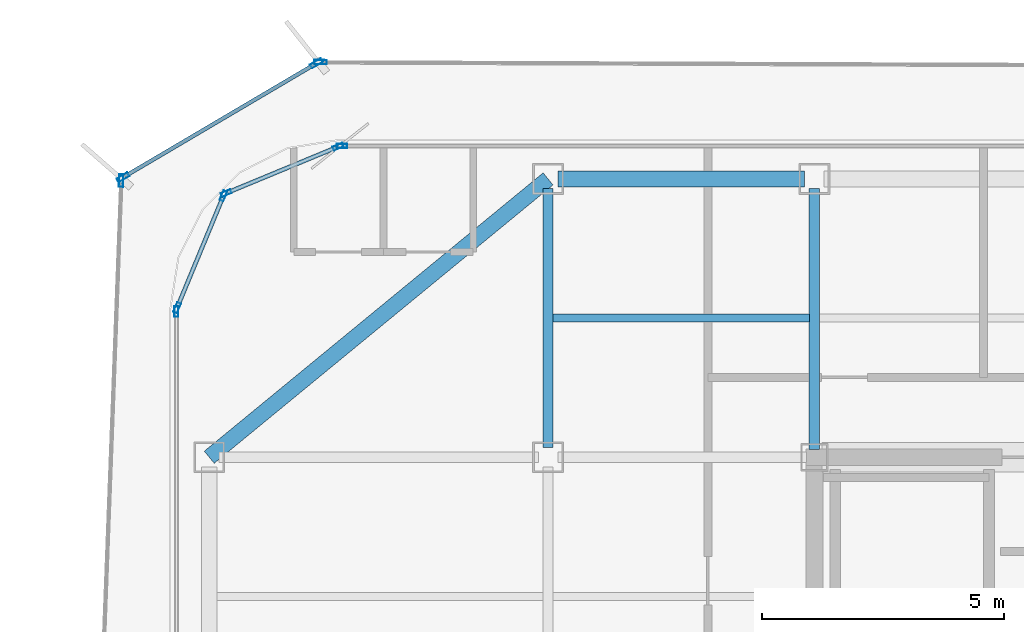
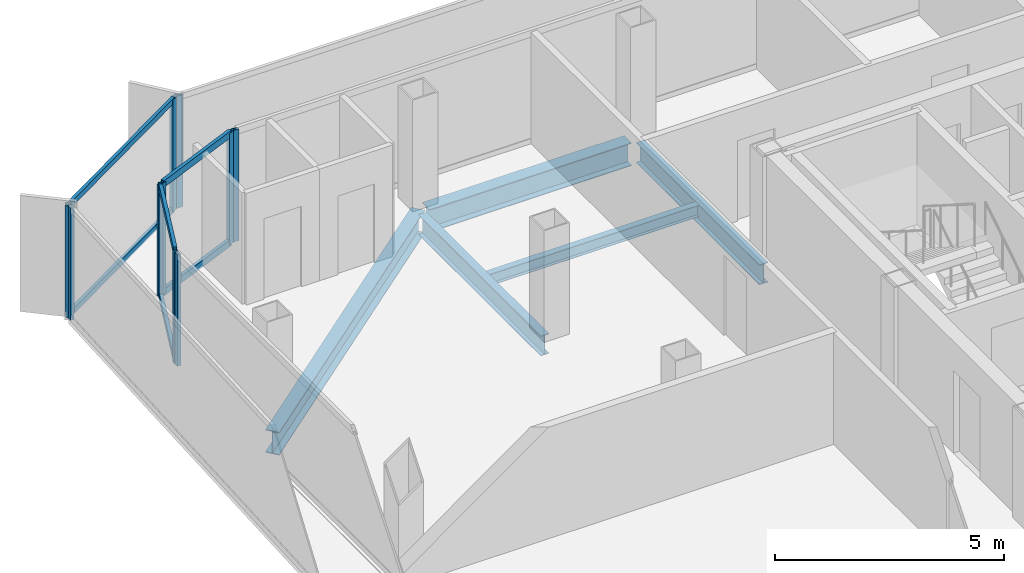
# One storey, part 6 of 15: 16 members, 5 beams, 7 elements without a shape of their own.
"""IFC4 building model written with IfcOpenShell, lengths in metres."""

import ifcopenshell
import ifcopenshell.guid

model = None  # the IFC model being written
_history = None  # IfcOwnerHistory: only IFC2X3 demands one
_inside = {}  # id of a spatial element -> (the spatial element, [elements in it])
_under = {}  # id of a project, library or spatial element -> (it, [spatial elements below it])
_declared = {}  # id of a project -> (the project, [libraries it declares])
_typed = {}  # id of a type object -> (the type object, [elements of that type])
_made_of = {}  # id of a material, layer set ... -> (it, [elements and type objects made of it])


def new_model(schema):
    """Start an empty IFC model of exactly this schema.

    Asked for "IFC4X3", IfcOpenShell would pick the latest addendum, in which some entities
    have other attributes; the version numbers below select the first issue.
    IFC2X3 requires an IfcOwnerHistory on every rooted entity: one is made here for all.
    """
    global model, _history
    if schema == "IFC4X3":
        model = ifcopenshell.file(schema_version=(4, 3, 0, 0))
    else:
        model = ifcopenshell.file(schema=schema)
    _inside.clear()
    _under.clear()
    _declared.clear()
    _typed.clear()
    _made_of.clear()
    _history = None
    if model.schema == "IFC2X3":
        org = make("IfcOrganization", Name="unknown")
        user = make(
            "IfcPersonAndOrganization",
            ThePerson=make("IfcPerson", FamilyName="unknown"),
            TheOrganization=org,
        )
        app = make(
            "IfcApplication",
            ApplicationDeveloper=org,
            Version="unknown",
            ApplicationFullName="unknown",
            ApplicationIdentifier="unknown",
        )
        _history = make(
            "IfcOwnerHistory",
            OwningUser=user,
            OwningApplication=app,
            ChangeAction="ADDED",
            CreationDate=0,
        )
    return model


def make(cls, **values):
    """One entity of the class cls with the attributes given. An attribute that is None is left unset."""
    return model.create_entity(
        cls, **{name: value for name, value in values.items() if value is not None}
    )


def rooted(cls, **values):
    """An entity with a GlobalId (a new one), such as an element, a storey or a relation."""
    return make(cls, GlobalId=ifcopenshell.guid.new(), OwnerHistory=_history, **values)


def si_unit(unit_type, name, prefix=None):
    """IfcSIUnit, for example si_unit("LENGTHUNIT", "METRE", prefix="MILLI")."""
    return make("IfcSIUnit", UnitType=unit_type, Prefix=prefix, Name=name)


def assignment(units):
    """IfcUnitAssignment: the units of a project."""
    return None if units is None else make("IfcUnitAssignment", Units=units)


def point(xyz):
    """IfcCartesianPoint."""
    return None if xyz is None else make("IfcCartesianPoint", Coordinates=xyz)


def direction(xyz):
    """IfcDirection."""
    return None if xyz is None else make("IfcDirection", DirectionRatios=xyz)


def frame(location, z_axis=None, x_axis=None):
    """IfcAxis2Placement3D, a coordinate frame: its origin and axes. An axis left out is left unset."""
    return make(
        "IfcAxis2Placement3D",
        Location=point(location),
        Axis=direction(z_axis),
        RefDirection=direction(x_axis),
    )


def frame_2d(location, x_axis=None):
    """IfcAxis2Placement2D, a coordinate frame in the plane: its origin and x axis."""
    return make(
        "IfcAxis2Placement2D", Location=point(location), RefDirection=direction(x_axis)
    )


def origin():
    """The frame at (0, 0, 0) with its axes left unset."""
    return frame((0.0, 0.0, 0.0))


def origin_2d():
    """The frame at (0, 0) in the plane with its x axis left unset."""
    return frame_2d((0.0, 0.0))


def place(relative_to, where):
    """IfcLocalPlacement: puts the frame where relative to a parent placement (None: the world)."""
    return make(
        "IfcLocalPlacement", PlacementRelTo=relative_to, RelativePlacement=where
    )


def context(
    kind, dimensions, precision=None, world=None, true_north=None, identifier=None
):
    """IfcGeometricRepresentationContext, for example the 3D "Model" context."""
    return make(
        "IfcGeometricRepresentationContext",
        ContextIdentifier=identifier,
        ContextType=kind,
        CoordinateSpaceDimension=dimensions,
        Precision=precision,
        WorldCoordinateSystem=world,
        TrueNorth=true_north,
    )


def subcontext(parent, identifier, kind, view, scale=None):
    """IfcGeometricRepresentationSubContext, for example "Body" below "Model"."""
    return make(
        "IfcGeometricRepresentationSubContext",
        ContextIdentifier=identifier,
        ContextType=kind,
        ParentContext=parent,
        TargetScale=scale,
        TargetView=view,
    )


def project(units=None, contexts=None):
    """IfcProject with its units and contexts."""
    return rooted(
        "IfcProject",
        Name="project",
        RepresentationContexts=contexts,
        UnitsInContext=assignment(units),
    )


def spatial(cls, under=None, at=None, **own):
    """A site, building, storey or space (cls), placed at a placement, below another one or the project."""
    s = rooted(cls, ObjectPlacement=at, **own)
    if under is not None:
        _under.setdefault(under.id(), (under, []))[1].append(s)
    return s


def profile(cls, at=None, kind="AREA", **sizes):
    """A parametric profile (cls). Its sizes go by their IFC names, for example OverallWidth=200.0."""
    return make(cls, ProfileType=kind, Position=at, **sizes)


def hollow_rectangle(**sizes):
    """IfcRectangleHollowProfileDef."""
    return profile("IfcRectangleHollowProfileDef", **sizes)


def i_section(**sizes):
    """IfcIShapeProfileDef."""
    return profile("IfcIShapeProfileDef", **sizes)


def extrude(swept, where, along, depth):
    """IfcExtrudedAreaSolid: the profile swept, set in the frame where, extruded along a direction by depth."""
    return make(
        "IfcExtrudedAreaSolid",
        SweptArea=swept,
        Position=where,
        ExtrudedDirection=direction(along),
        Depth=depth,
    )


def shape(context_of_items, identifier, shape_type, items):
    """IfcShapeRepresentation: the items that make up one representation, for example the "Body"."""
    return make(
        "IfcShapeRepresentation",
        ContextOfItems=context_of_items,
        RepresentationIdentifier=identifier,
        RepresentationType=shape_type,
        Items=items,
    )


def source(mapping_origin, context_of_items, identifier, shape_type, items):
    """IfcRepresentationMap: a shape defined once, which mapped items show again and again."""
    return make(
        "IfcRepresentationMap",
        MappingOrigin=mapping_origin,
        MappedRepresentation=shape(context_of_items, identifier, shape_type, items),
    )


def transform(
    local_origin,
    x_axis=None,
    y_axis=None,
    z_axis=None,
    scale=None,
    scale2=None,
    scale3=None,
    uniform=True,
):
    """IfcCartesianTransformationOperator3D, or its non-uniform kind. x_axis, y_axis, z_axis: its Axis1, 2, 3."""
    if uniform:
        return make(
            "IfcCartesianTransformationOperator3D",
            Axis1=direction(x_axis),
            Axis2=direction(y_axis),
            LocalOrigin=point(local_origin),
            Scale=scale,
            Axis3=direction(z_axis),
        )
    return make(
        "IfcCartesianTransformationOperator3DnonUniform",
        Axis1=direction(x_axis),
        Axis2=direction(y_axis),
        LocalOrigin=point(local_origin),
        Scale=scale,
        Axis3=direction(z_axis),
        Scale2=scale2,
        Scale3=scale3,
    )


def mapped(mapping_source, mapping_target):
    """IfcMappedItem: shows the shape of a source again, moved by a transform."""
    return make(
        "IfcMappedItem", MappingSource=mapping_source, MappingTarget=mapping_target
    )


def material(Name=None, Category=None):
    """IfcMaterial."""
    return make("IfcMaterial", Name=Name, Category=Category)


def layer(
    of_material, thickness, ventilated=None, Name=None, Category=None, Priority=None
):
    """IfcMaterialLayer: one layer of a wall or slab, of a material (None: an air gap)."""
    return make(
        "IfcMaterialLayer",
        Material=of_material,
        LayerThickness=thickness,
        IsVentilated=ventilated,
        Name=Name,
        Category=Category,
        Priority=Priority,
    )


def layer_set(layers, Name=None):
    """IfcMaterialLayerSet."""
    return make("IfcMaterialLayerSet", MaterialLayers=layers, LayerSetName=Name)


def material_profile(
    of_material, cross_section, Name=None, Category=None, Priority=None
):
    """IfcMaterialProfile: a cross section and its material."""
    return make(
        "IfcMaterialProfile",
        Name=Name,
        Material=of_material,
        Profile=cross_section,
        Priority=Priority,
        Category=Category,
    )


def profile_set(profiles, Name=None, composite=None):
    """IfcMaterialProfileSet."""
    return make(
        "IfcMaterialProfileSet",
        Name=Name,
        MaterialProfiles=profiles,
        CompositeProfile=composite,
    )


def made_of(thing, what):
    """Note that an element or type object is made of a material, layer set ...; save() writes the relation."""
    if what is not None:
        _made_of.setdefault(what.id(), (what, []))[1].append(thing)
    return thing


def type_object(cls, material=None, **own):
    """A type object (cls), such as IfcWallType, which elements share."""
    return made_of(rooted(cls, **own), material)


def element(
    cls,
    number,
    at=None,
    inside=None,
    cuts=None,
    type_object=None,
    material=None,
    context=None,
    identifier="Body",
    shape_type=None,
    held_by="IfcProductDefinitionShape",
    body=None,
    shapes=None,
    **own,
):
    """One element of the class cls, such as IfcWall. Its Tag is "e" and its number.

    at: its placement. inside: the storey or other place that contains it. cuts: it is an
    opening in that element (IfcRelVoidsElement). A single representation is given by context,
    identifier, shape_type and body (its items); several are given by shapes. held_by: the class
    of the entity that holds the representations. save() writes the other relations.
    """
    e = rooted(cls, Tag="e%d" % number, ObjectPlacement=at, **own)
    if body is not None:
        shapes = [shape(context, identifier, shape_type, body)]
    if shapes is not None:
        e.Representation = make(held_by, Representations=shapes)
    if inside is not None:
        _inside.setdefault(inside.id(), (inside, []))[1].append(e)
    if cuts is not None:
        rooted(
            "IfcRelVoidsElement", RelatingBuildingElement=cuts, RelatedOpeningElement=e
        )
    if type_object is not None:
        _typed.setdefault(type_object.id(), (type_object, []))[1].append(e)
    return made_of(e, material)


def aggregate(whole, parts):
    """IfcRelAggregates: a whole, such as a stair, and the parts it consists of."""
    return rooted("IfcRelAggregates", RelatingObject=whole, RelatedObjects=parts)


def save(model, path):
    """Write the relations noted so far, then the file.

    IfcRelAggregates (storeys below a building ...), IfcRelContainedInSpatialStructure (elements
    in a storey), IfcRelDefinesByType, IfcRelAssociatesMaterial and IfcRelDeclares: one each for
    every whole, place, type object, material and project.
    """
    for whole, parts in _under.values():
        aggregate(whole, parts)
    for where, things in _inside.values():
        rooted(
            "IfcRelContainedInSpatialStructure",
            RelatedElements=things,
            RelatingStructure=where,
        )
    for kind, things in _typed.values():
        rooted("IfcRelDefinesByType", RelatedObjects=things, RelatingType=kind)
    for what, things in _made_of.values():
        rooted("IfcRelAssociatesMaterial", RelatedObjects=things, RelatingMaterial=what)
    for by, libraries in _declared.values():
        rooted("IfcRelDeclares", RelatingContext=by, RelatedDefinitions=libraries)
    model.write(path)


model = new_model("IFC4")

# Units and contexts
model_context = context("Model", 3, precision=1e-05, world=origin(), true_north=direction((0.0, 1.0)))
body_context = subcontext(model_context, "Body", "Model", "MODEL_VIEW")
ifc_project = project(units=[si_unit("LENGTHUNIT", "METRE"), si_unit("AREAUNIT", "SQUARE_METRE"), si_unit("VOLUMEUNIT", "CUBIC_METRE"), si_unit("PLANEANGLEUNIT", "RADIAN"), si_unit("MASSUNIT", "GRAM", prefix="KILO")], contexts=[model_context])

# Site, building, storey
site_placement = place(None, origin())
site = spatial("IfcSite", under=ifc_project, at=site_placement, CompositionType="ELEMENT")
building_placement = place(site_placement, origin())
building = spatial("IfcBuilding", under=site, at=building_placement, Name="Kolveth Station Tower", CompositionType="ELEMENT")
storey_placement = place(building_placement, frame((0.0, 0.0, 220.10009765625)))
storey = spatial("IfcBuildingStorey", under=building, at=storey_placement, Name="L62", CompositionType="ELEMENT", Elevation=220.10009765625)

# Beams
ifc_material_1 = material(Name="Steel S355", Category="steel")
ifc_material_profile_1 = material_profile(ifc_material_1, i_section(OverallWidth=0.323974609375, OverallDepth=0.611083984375, WebThickness=0.0126953125, FlangeThickness=0.01904296875, at=origin_2d()), Name="W610x155")
ifc_profile_set_1 = profile_set([ifc_material_profile_1], Name="Steel S355")
beam_type_1 = type_object("IfcBeamType", Name="Beam_SP2", PredefinedType="SPANDREL", material=ifc_profile_set_1)
shared_shape_1 = source(origin(), body_context, "Body", "SweptSolid", [
    extrude(i_section(OverallWidth=0.323974609375, OverallDepth=0.611083984375, WebThickness=0.0126953125, FlangeThickness=0.01904296875, at=origin_2d()), origin(), (0.0, 0.0, 1.0), 9.058837890625),
])
beam_1_placement = place(storey_placement, frame((13.0, 34.5, -0.525634765625), z_axis=(-0.772726254525, -0.63473942336, 0.0), x_axis=(0.63473942336, -0.772726254525, 0.0)))
element("IfcBeam", 1, at=beam_1_placement, inside=storey, type_object=beam_type_1, Name="L62 Corner Edge Girder BM-L62-CNR-NW", PredefinedType="SPANDREL", context=body_context, shape_type="MappedRepresentation", body=[
    mapped(shared_shape_1, transform((0.0, 0.0, 0.0), x_axis=(1.0, 0.0, 0.0), y_axis=(0.0, 1.0, 0.0), z_axis=(0.0, 0.0, 1.0), scale=1.0)),
])
shared_shape_2 = source(origin(), body_context, "Body", "SweptSolid", [
    extrude(i_section(OverallWidth=0.323974609375, OverallDepth=0.611083984375, WebThickness=0.0126953125, FlangeThickness=0.01904296875, at=origin_2d()), origin(), (0.0, 0.0, 1.0), 5.10009765625),
])
beam_2_placement = place(storey_placement, frame((13.199951171875, 34.5, -0.525634765625), z_axis=(1.0, 0.0, 0.0), x_axis=(0.0, 1.0, 0.0)))
element("IfcBeam", 2, at=beam_2_placement, inside=storey, type_object=beam_type_1, Name="L62 Perimeter Spandrel BM-L62-PN-1", PredefinedType="SPANDREL", context=body_context, shape_type="MappedRepresentation", body=[
    mapped(shared_shape_2, transform((0.0, 0.0, 0.0), x_axis=(1.0, 0.0, 0.0), y_axis=(0.0, 1.0, 0.0), z_axis=(0.0, 0.0, 1.0), scale=1.0)),
])
ifc_material_profile_2 = material_profile(ifc_material_1, i_section(OverallWidth=0.2099609375, OverallDepth=0.537109375, WebThickness=0.010986328125, FlangeThickness=0.017333984375, at=origin_2d()), Name="W530x101")
ifc_profile_set_2 = profile_set([ifc_material_profile_2], Name="Steel S355")
beam_type_2 = type_object("IfcBeamType", Name="Beam_B6", PredefinedType="BEAM", material=ifc_profile_set_2)
shared_shape_3 = source(origin(), body_context, "Body", "SweptSolid", [
    extrude(i_section(OverallWidth=0.2099609375, OverallDepth=0.537109375, WebThickness=0.010986328125, FlangeThickness=0.017333984375, at=origin_2d()), origin(), (0.0, 0.0, 1.0), 5.35009765625),
])
beam_3_placement = place(storey_placement, frame((13.0, 28.949951171875, -0.488525390625), z_axis=(0.0, 1.0, 0.0), x_axis=(-1.0, 0.0, 0.0)))
element("IfcBeam", 3, at=beam_3_placement, inside=storey, type_object=beam_type_2, Name="L62 Primary Girder BM-L62-GX130-6", PredefinedType="BEAM", context=body_context, shape_type="MappedRepresentation", body=[
    mapped(shared_shape_3, transform((0.0, 0.0, 0.0), x_axis=(1.0, 0.0, 0.0), y_axis=(0.0, 1.0, 0.0), z_axis=(0.0, 0.0, 1.0), scale=1.0)),
])
shared_shape_4 = source(origin(), body_context, "Body", "SweptSolid", [
    extrude(i_section(OverallWidth=0.2099609375, OverallDepth=0.537109375, WebThickness=0.010986328125, FlangeThickness=0.017333984375, at=origin_2d()), origin(), (0.0, 0.0, 1.0), 5.39013671875),
])
beam_4_placement = place(storey_placement, frame((18.5, 28.909912109375, -0.488525390625), z_axis=(0.0, 1.0, 0.0), x_axis=(-1.0, 0.0, 0.0)))
element("IfcBeam", 4, at=beam_4_placement, inside=storey, type_object=beam_type_2, Name="L62 Primary Girder BM-L62-GX185-6", PredefinedType="BEAM", context=body_context, shape_type="MappedRepresentation", body=[
    mapped(shared_shape_4, transform((0.0, 0.0, 0.0), x_axis=(1.0, 0.0, 0.0), y_axis=(0.0, 1.0, 0.0), z_axis=(0.0, 0.0, 1.0), scale=1.0)),
])
ifc_material_profile_3 = material_profile(ifc_material_1, i_section(OverallWidth=0.1650390625, OverallDepth=0.31005859375, WebThickness=0.005859375, FlangeThickness=0.009765625, at=origin_2d()), Name="W310x39")
ifc_profile_set_3 = profile_set([ifc_material_profile_3], Name="Steel S355")
beam_type_3 = type_object("IfcBeamType", Name="Beam_J3", PredefinedType="JOIST", material=ifc_profile_set_3)
shared_shape_5 = source(origin(), body_context, "Body", "SweptSolid", [
    extrude(i_section(OverallWidth=0.1650390625, OverallDepth=0.31005859375, WebThickness=0.005859375, FlangeThickness=0.009765625, at=origin_2d()), origin(), (0.0, 0.0, 1.0), 5.2939453125),
])
beam_5_placement = place(storey_placement, frame((13.10302734375, 31.625, -0.375), z_axis=(1.0, 0.0, 0.0), x_axis=(0.0, 1.0, 0.0)))
element("IfcBeam", 5, at=beam_5_placement, inside=storey, type_object=beam_type_3, Name="L62 Secondary Joist JST-L62-2-6", PredefinedType="JOIST", context=body_context, shape_type="MappedRepresentation", body=[
    mapped(shared_shape_5, transform((0.0, 0.0, 0.0), x_axis=(1.0, 0.0, 0.0), y_axis=(0.0, 1.0, 0.0), z_axis=(0.0, 0.0, 1.0), scale=1.0)),
])

# Curtain wall, member
ifc_material_2 = material(Name="Black anodized aluminium 6063-T6 and dark solar glass", Category="aluminium")
ifc_layer_1 = layer(ifc_material_2, 0.159912109375)
ifc_layer_set_1 = layer_set([ifc_layer_1], Name="Black anodized aluminium 6063-T6 and dark solar glass")
curtain_wall_type_1 = type_object("IfcCurtainWallType", Name="OUTER SKIN CW-OS", PredefinedType="NOTDEFINED", material=ifc_layer_set_1)
curtain_wall_1_placement = place(storey_placement, origin())
curtain_wall_1 = element("IfcCurtainWall", 6, at=curtain_wall_1_placement, inside=storey, type_object=curtain_wall_type_1, Name="L62 Outer Ventilated Skin Curtain Wall 4", PredefinedType="NOTDEFINED")
ifc_material_3 = material(Name="Black anodized aluminium 6063-T6", Category="aluminium")
ifc_material_profile_4 = material_profile(ifc_material_3, hollow_rectangle(XDim=0.090087890625, YDim=0.260009765625, WallThickness=0.0048828125, at=origin_2d()), Name="ALU-90x260x5")
ifc_profile_set_4 = profile_set([ifc_material_profile_4], Name="Black anodized aluminium 6063-T6")
member_type_1 = type_object("IfcMemberType", Name="FIN MULLION ML-OS", PredefinedType="MULLION", material=ifc_profile_set_4)
shared_shape_6 = source(origin(), body_context, "Body", "SweptSolid", [
    extrude(hollow_rectangle(XDim=0.090087890625, YDim=0.260009765625, WallThickness=0.0048828125, at=origin_2d()), origin(), (0.0, 0.0, 1.0), 2.989990234375),
])
member_1_placement = place(storey_placement, frame((8.2998046875, 36.911865234375, 0.0), z_axis=(0.0, 0.0, 1.0), x_axis=(-0.003664930135, -0.999993284121, 0.0)))
member_1 = element("IfcMember", 7, at=member_1_placement, type_object=member_type_1, Name="CW-OS mullion 2", PredefinedType="MULLION", context=body_context, shape_type="MappedRepresentation", body=[
    mapped(shared_shape_6, transform((0.0, 0.0, 0.0), x_axis=(1.0, 0.0, 0.0), y_axis=(0.0, 1.0, 0.0), z_axis=(0.0, 0.0, 1.0), scale=1.0)),
])
aggregate(curtain_wall_1, [member_1])

# Curtain wall, members
curtain_wall_2_placement = place(storey_placement, origin())
curtain_wall_2 = element("IfcCurtainWall", 8, at=curtain_wall_2_placement, inside=storey, type_object=curtain_wall_type_1, Name="L62 Outer Ventilated Skin Curtain Wall 5", PredefinedType="NOTDEFINED")
member_2_placement = place(storey_placement, frame((8.216064453125, 36.88916015625, 0.0), z_axis=(0.0, 0.0, 1.0), x_axis=(0.508013979846, -0.861348823811, 0.0)))
member_2 = element("IfcMember", 9, at=member_2_placement, type_object=member_type_1, Name="CW-OS mullion 1", PredefinedType="MULLION", context=body_context, shape_type="MappedRepresentation", body=[
    mapped(shared_shape_6, transform((0.0, 0.0, 0.0), x_axis=(1.0, 0.0, 0.0), y_axis=(0.0, 1.0, 0.0), z_axis=(0.0, 0.0, 1.0), scale=1.0)),
])
member_3_placement = place(storey_placement, frame((4.2197265625, 34.531982421875, 0.0), z_axis=(0.0, 0.0, 1.0), x_axis=(0.508013979846, -0.861348823811, 0.0)))
member_3 = element("IfcMember", 10, at=member_3_placement, type_object=member_type_1, Name="CW-OS mullion 2", PredefinedType="MULLION", context=body_context, shape_type="MappedRepresentation", body=[
    mapped(shared_shape_6, transform((0.0, 0.0, 0.0), x_axis=(1.0, 0.0, 0.0), y_axis=(0.0, 1.0, 0.0), z_axis=(0.0, 0.0, 1.0), scale=1.0)),
])

# Curtain wall, member
curtain_wall_3_placement = place(storey_placement, origin())
curtain_wall_3 = element("IfcCurtainWall", 11, at=curtain_wall_3_placement, inside=storey, type_object=curtain_wall_type_1, Name="L62 Outer Ventilated Skin Curtain Wall 6", PredefinedType="NOTDEFINED")
member_4_placement = place(storey_placement, frame((4.17919921875, 34.464111328125, 0.0), z_axis=(0.0, 0.0, 1.0), x_axis=(0.999287907634, -0.03773165324, 0.0)))
member_4 = element("IfcMember", 12, at=member_4_placement, type_object=member_type_1, Name="CW-OS mullion 1", PredefinedType="MULLION", context=body_context, shape_type="MappedRepresentation", body=[
    mapped(shared_shape_6, transform((0.0, 0.0, 0.0), x_axis=(1.0, 0.0, 0.0), y_axis=(0.0, 1.0, 0.0), z_axis=(0.0, 0.0, 1.0), scale=1.0)),
])
aggregate(curtain_wall_3, [member_4])

ifc_material_4 = material(Name="Aluminium 6063-T6 and triple low-E dark glass", Category="aluminium")
ifc_layer_2 = layer(ifc_material_4, 0.199951171875)
ifc_layer_set_2 = layer_set([ifc_layer_2], Name="Aluminium 6063-T6 and triple low-E dark glass")
curtain_wall_type_2 = type_object("IfcCurtainWallType", Name="CurtainWall_CW-Z3", PredefinedType="NOTDEFINED", material=ifc_layer_set_2)
curtain_wall_4_placement = place(storey_placement, origin())
curtain_wall_4 = element("IfcCurtainWall", 13, at=curtain_wall_4_placement, inside=storey, type_object=curtain_wall_type_2, Name="L62 Inner Thermal Curtain Wall 6", PredefinedType="NOTDEFINED")
ifc_material_profile_5 = material_profile(ifc_material_3, hollow_rectangle(XDim=0.0849609375, YDim=0.215087890625, WallThickness=0.0048828125, at=origin_2d()), Name="ALU-85x215x5")
ifc_profile_set_5 = profile_set([ifc_material_profile_5], Name="Black anodized aluminium 6063-T6")
member_type_2 = type_object("IfcMemberType", Name="Mullion_ML3", PredefinedType="MULLION", material=ifc_profile_set_5)
shared_shape_7 = source(origin(), body_context, "Body", "SweptSolid", [
    extrude(hollow_rectangle(XDim=0.0849609375, YDim=0.215087890625, WallThickness=0.0048828125, at=origin_2d()), origin(), (0.0, 0.0, 1.0), 2.97998046875),
])
member_5_placement = place(storey_placement, frame((8.742431640625, 35.179931640625, 0.0), z_axis=(0.0, 0.0, 1.0), x_axis=(0.0, -1.0, 0.0)))
member_5 = element("IfcMember", 14, at=member_5_placement, type_object=member_type_2, Name="CW-Z3 mullion 2", PredefinedType="MULLION", context=body_context, shape_type="MappedRepresentation", body=[
    mapped(shared_shape_7, transform((0.0, 0.0, 0.0), x_axis=(1.0, 0.0, 0.0), y_axis=(0.0, 1.0, 0.0), z_axis=(0.0, 0.0, 1.0), scale=1.0)),
])
aggregate(curtain_wall_4, [member_5])

# Curtain wall, members
curtain_wall_5_placement = place(storey_placement, origin())
curtain_wall_5 = element("IfcCurtainWall", 15, at=curtain_wall_5_placement, inside=storey, type_object=curtain_wall_type_2, Name="L62 Inner Thermal Curtain Wall 7", PredefinedType="NOTDEFINED")
member_6_placement = place(storey_placement, frame((8.66064453125, 35.163818359375, 0.0), z_axis=(0.0, 0.0, 1.0), x_axis=(0.382693194181, -0.923875488975, 0.0)))
member_6 = element("IfcMember", 16, at=member_6_placement, type_object=member_type_2, Name="CW-Z3 mullion 1", PredefinedType="MULLION", context=body_context, shape_type="MappedRepresentation", body=[
    mapped(shared_shape_7, transform((0.0, 0.0, 0.0), x_axis=(1.0, 0.0, 0.0), y_axis=(0.0, 1.0, 0.0), z_axis=(0.0, 0.0, 1.0), scale=1.0)),
])
member_7_placement = place(storey_placement, frame((6.349365234375, 34.206298828125, 0.0), z_axis=(0.0, 0.0, 1.0), x_axis=(0.382693194181, -0.923875488975, 0.0)))
member_7 = element("IfcMember", 17, at=member_7_placement, type_object=member_type_2, Name="CW-Z3 mullion 2", PredefinedType="MULLION", context=body_context, shape_type="MappedRepresentation", body=[
    mapped(shared_shape_7, transform((0.0, 0.0, 0.0), x_axis=(1.0, 0.0, 0.0), y_axis=(0.0, 1.0, 0.0), z_axis=(0.0, 0.0, 1.0), scale=1.0)),
])

curtain_wall_6_placement = place(storey_placement, origin())
curtain_wall_6 = element("IfcCurtainWall", 18, at=curtain_wall_6_placement, inside=storey, type_object=curtain_wall_type_2, Name="L62 Inner Thermal Curtain Wall 8", PredefinedType="NOTDEFINED")
member_8_placement = place(storey_placement, frame((6.293701171875, 34.150634765625, 0.0), z_axis=(0.0, 0.0, 1.0), x_axis=(0.923875488975, -0.382693194181, 0.0)))
member_8 = element("IfcMember", 19, at=member_8_placement, type_object=member_type_2, Name="CW-Z3 mullion 1", PredefinedType="MULLION", context=body_context, shape_type="MappedRepresentation", body=[
    mapped(shared_shape_7, transform((0.0, 0.0, 0.0), x_axis=(1.0, 0.0, 0.0), y_axis=(0.0, 1.0, 0.0), z_axis=(0.0, 0.0, 1.0), scale=1.0)),
])
member_9_placement = place(storey_placement, frame((5.336181640625, 31.83935546875, 0.0), z_axis=(0.0, 0.0, 1.0), x_axis=(0.923875488975, -0.382693194181, 0.0)))
member_9 = element("IfcMember", 20, at=member_9_placement, type_object=member_type_2, Name="CW-Z3 mullion 2", PredefinedType="MULLION", context=body_context, shape_type="MappedRepresentation", body=[
    mapped(shared_shape_7, transform((0.0, 0.0, 0.0), x_axis=(1.0, 0.0, 0.0), y_axis=(0.0, 1.0, 0.0), z_axis=(0.0, 0.0, 1.0), scale=1.0)),
])

# Curtain wall, member
curtain_wall_7_placement = place(storey_placement, origin())
curtain_wall_7 = element("IfcCurtainWall", 21, at=curtain_wall_7_placement, inside=storey, type_object=curtain_wall_type_2, Name="L62 Inner Thermal Curtain Wall 9", PredefinedType="NOTDEFINED")
member_10_placement = place(storey_placement, frame((5.320068359375, 31.757568359375, 0.0), z_axis=(0.0, 0.0, 1.0), x_axis=(1.0, 0.0, 0.0)))
member_10 = element("IfcMember", 22, at=member_10_placement, type_object=member_type_2, Name="CW-Z3 mullion 1", PredefinedType="MULLION", context=body_context, shape_type="MappedRepresentation", body=[
    mapped(shared_shape_7, transform((0.0, 0.0, 0.0), x_axis=(1.0, 0.0, 0.0), y_axis=(0.0, 1.0, 0.0), z_axis=(0.0, 0.0, 1.0), scale=1.0)),
])
aggregate(curtain_wall_7, [member_10])

# Member
ifc_material_profile_6 = material_profile(ifc_material_3, hollow_rectangle(XDim=0.0849609375, YDim=0.179931640625, WallThickness=0.0048828125, at=origin_2d()), Name="ALU-85x180x5")
ifc_profile_set_6 = profile_set([ifc_material_profile_6], Name="Black anodized aluminium 6063-T6")
member_type_3 = type_object("IfcMemberType", Name="Transom_TR3", PredefinedType="USERDEFINED", material=ifc_profile_set_6)
shared_shape_8 = source(origin(), body_context, "Body", "SweptSolid", [
    extrude(hollow_rectangle(XDim=0.0849609375, YDim=0.179931640625, WallThickness=0.0048828125, at=origin_2d()), origin(), (0.0, 0.0, 1.0), 2.417236328125),
])
member_11_placement = place(storey_placement, frame((8.62158203125, 35.1474609375, 0.04248046875), z_axis=(-0.923872799448, -0.382699687013, 0.0), x_axis=(0.382699687013, -0.923872799448, 0.0)))
member_11 = element("IfcMember", 23, at=member_11_placement, type_object=member_type_3, Name="CW-Z3 transom 1.1", ObjectType="TRANSOM", PredefinedType="USERDEFINED", context=body_context, shape_type="MappedRepresentation", body=[
    mapped(shared_shape_8, transform((0.0, 0.0, 0.0), x_axis=(1.0, 0.0, 0.0), y_axis=(0.0, 1.0, 0.0), z_axis=(0.0, 0.0, 1.0), scale=1.0)),
])

member_12_placement = place(storey_placement, frame((8.62158203125, 35.1474609375, 2.9375), z_axis=(-0.923872799448, -0.382699687013, 0.0), x_axis=(0.382699687013, -0.923872799448, 0.0)))
member_12 = element("IfcMember", 24, at=member_12_placement, type_object=member_type_3, Name="CW-Z3 transom 1.2", ObjectType="TRANSOM", PredefinedType="USERDEFINED", context=body_context, shape_type="MappedRepresentation", body=[
    mapped(shared_shape_8, transform((0.0, 0.0, 0.0), x_axis=(1.0, 0.0, 0.0), y_axis=(0.0, 1.0, 0.0), z_axis=(0.0, 0.0, 1.0), scale=1.0)),
])

aggregate(curtain_wall_5, [member_6, member_7, member_11, member_12])

member_13_placement = place(storey_placement, frame((6.277587890625, 34.111572265625, 0.04248046875), z_axis=(-0.382699687013, -0.923872799448, 0.0), x_axis=(0.923872799448, -0.382699687013, 0.0)))
member_13 = element("IfcMember", 25, at=member_13_placement, type_object=member_type_3, Name="CW-Z3 transom 1.1", ObjectType="TRANSOM", PredefinedType="USERDEFINED", context=body_context, shape_type="MappedRepresentation", body=[
    mapped(shared_shape_8, transform((0.0, 0.0, 0.0), x_axis=(1.0, 0.0, 0.0), y_axis=(0.0, 1.0, 0.0), z_axis=(0.0, 0.0, 1.0), scale=1.0)),
])

member_14_placement = place(storey_placement, frame((6.277587890625, 34.111572265625, 2.9375), z_axis=(-0.382699687013, -0.923872799448, 0.0), x_axis=(0.923872799448, -0.382699687013, 0.0)))
member_14 = element("IfcMember", 26, at=member_14_placement, type_object=member_type_3, Name="CW-Z3 transom 1.2", ObjectType="TRANSOM", PredefinedType="USERDEFINED", context=body_context, shape_type="MappedRepresentation", body=[
    mapped(shared_shape_8, transform((0.0, 0.0, 0.0), x_axis=(1.0, 0.0, 0.0), y_axis=(0.0, 1.0, 0.0), z_axis=(0.0, 0.0, 1.0), scale=1.0)),
])

aggregate(curtain_wall_6, [member_8, member_9, member_13, member_14])

ifc_material_profile_7 = material_profile(ifc_material_3, hollow_rectangle(XDim=0.080078125, YDim=0.14990234375, WallThickness=0.0048828125, at=origin_2d()), Name="ALU-80x150x5")
ifc_profile_set_7 = profile_set([ifc_material_profile_7], Name="Black anodized aluminium 6063-T6")
member_type_4 = type_object("IfcMemberType", Name="Transom_TR-OS", PredefinedType="USERDEFINED", material=ifc_profile_set_7)
shared_shape_9 = source(origin(), body_context, "Body", "SweptSolid", [
    extrude(hollow_rectangle(XDim=0.080078125, YDim=0.14990234375, WallThickness=0.0048828125, at=origin_2d()), origin(), (0.0, 0.0, 1.0), 4.550048828125),
])
member_15_placement = place(storey_placement, frame((8.177490234375, 36.8662109375, 0.039794921875), z_axis=(-0.861369515452, -0.507978895084, 0.0), x_axis=(0.507978895084, -0.861369515452, 0.0)))
member_15 = element("IfcMember", 27, at=member_15_placement, type_object=member_type_4, Name="CW-OS transom 1.1", ObjectType="TRANSOM", PredefinedType="USERDEFINED", context=body_context, shape_type="MappedRepresentation", body=[
    mapped(shared_shape_9, transform((0.0, 0.0, 0.0), x_axis=(1.0, 0.0, 0.0), y_axis=(0.0, 1.0, 0.0), z_axis=(0.0, 0.0, 1.0), scale=1.0)),
])

member_16_placement = place(storey_placement, frame((8.177490234375, 36.8662109375, 2.949951171875), z_axis=(-0.861369515452, -0.507978895084, 0.0), x_axis=(0.507978895084, -0.861369515452, 0.0)))
member_16 = element("IfcMember", 28, at=member_16_placement, type_object=member_type_4, Name="CW-OS transom 1.2", ObjectType="TRANSOM", PredefinedType="USERDEFINED", context=body_context, shape_type="MappedRepresentation", body=[
    mapped(shared_shape_9, transform((0.0, 0.0, 0.0), x_axis=(1.0, 0.0, 0.0), y_axis=(0.0, 1.0, 0.0), z_axis=(0.0, 0.0, 1.0), scale=1.0)),
])

aggregate(curtain_wall_2, [member_2, member_3, member_15, member_16])

save(model, "model.ifc")
